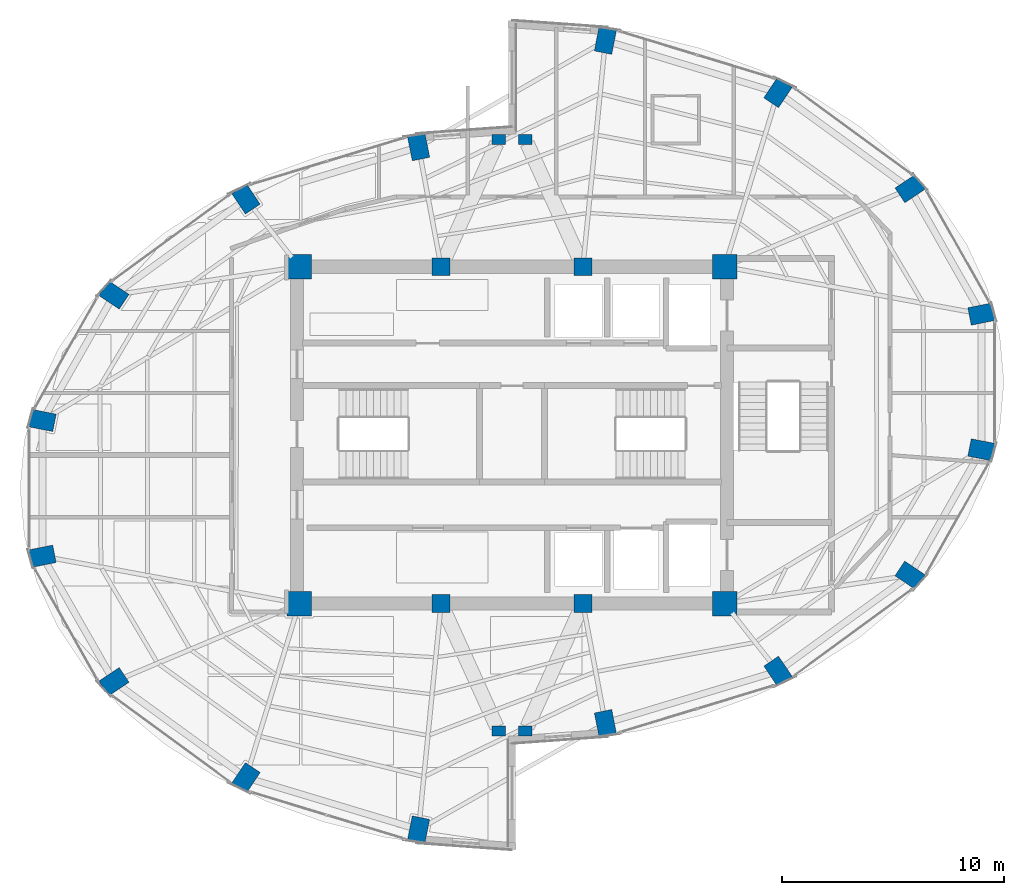
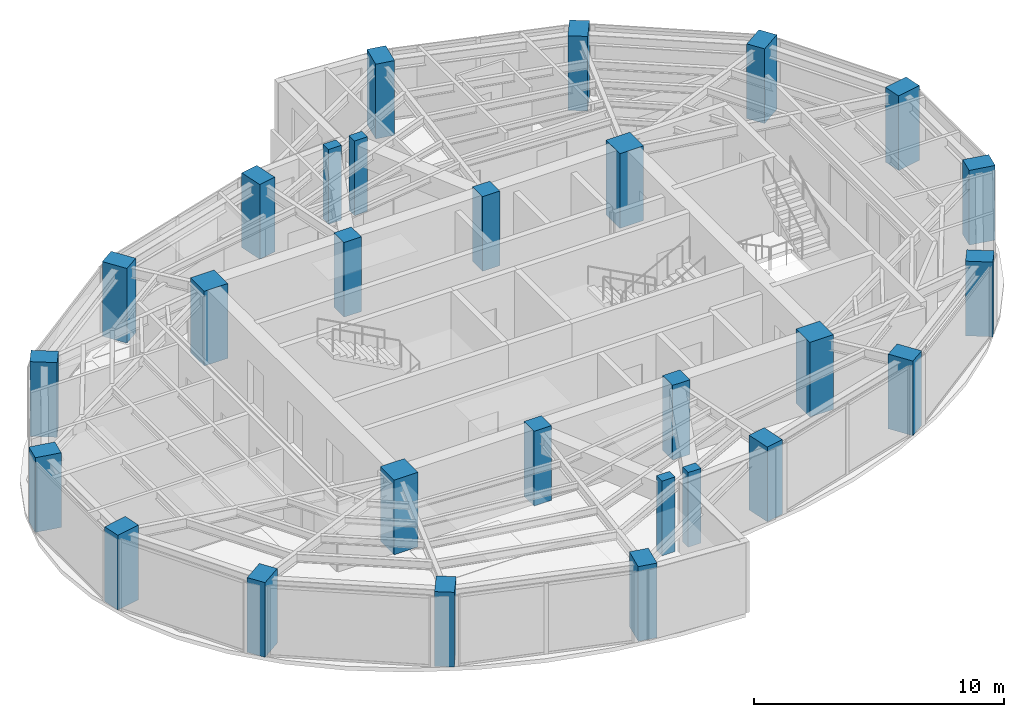
# One storey, part 1 of 23: 28 columns.
"""IFC4 building model written with IfcOpenShell, lengths in metres."""

from ifc_helpers import new_model, si_unit, direction, frame, origin, origin_2d, place, context, subcontext, project, spatial, rectangle, extrude, material, material_profile, profile_set, type_object, element, save


model = new_model("IFC4")

# Units and contexts
model_context = context("Model", 3, precision=1e-05, world=origin(), true_north=direction((0.0, 1.0)))
body_context = subcontext(model_context, "Body", "Model", "MODEL_VIEW")
ifc_project = project(units=[si_unit("LENGTHUNIT", "METRE"), si_unit("AREAUNIT", "SQUARE_METRE"), si_unit("VOLUMEUNIT", "CUBIC_METRE"), si_unit("PLANEANGLEUNIT", "RADIAN"), si_unit("MASSUNIT", "GRAM", prefix="KILO")], contexts=[model_context])

# Site, building, storey
site_placement = place(None, origin())
site = spatial("IfcSite", under=ifc_project, at=site_placement, CompositionType="ELEMENT")
building_placement = place(site_placement, origin())
building = spatial("IfcBuilding", under=site, at=building_placement, Name="Lazwardi Medical Tower", CompositionType="ELEMENT")
storey_placement = place(building_placement, frame((0.0, 0.0, 198.47998046875)))
storey = spatial("IfcBuildingStorey", under=building, at=storey_placement, Name="L51", CompositionType="ELEMENT", Elevation=198.47998046875)

# Columns
ifc_material_1 = material(Name="Concrete C80/95", Category="concrete")
ifc_material_profile_1 = material_profile(ifc_material_1, rectangle(XDim=1.10009765625, YDim=1.10009765625, at=origin_2d()), Name="RC 1100x1100")
ifc_profile_set_1 = profile_set([ifc_material_profile_1], Name="Concrete C80/95")
column_type_1 = type_object("IfcColumnType", Name="COL-CC-L", PredefinedType="COLUMN", material=ifc_profile_set_1)
for number, where, z_axis, x_axis, name in (
    (1, (26.39990234375, 20.39990234375, 0.0), (0.0, 0.0, 1.0), (1.0, 0.0, 0.0), "Core column CC-01 CC1 L51"),
    (2, (45.60009765625, 20.39990234375, 0.0), (0.0, 0.0, 1.0), (1.0, 0.0, 0.0), "Core column CC-01 CC4 L51"),
    (3, (45.60009765625, 35.60009765625, 0.0), (0.0, 0.0, 1.0), (1.0, 0.0, 0.0), "Core column CC-01 CC5 L51"),
    (4, (26.39990234375, 35.60009765625, 0.0), (0.0, 0.0, 1.0), (1.0, 0.0, 0.0), "Core column CC-01 CC8 L51"),
):
    element("IfcColumn", number, at=place(storey_placement, frame(where, z_axis=z_axis, x_axis=x_axis)), inside=storey, type_object=column_type_1, Name=name, PredefinedType="COLUMN", context=body_context, shape_type="SweptSolid", body=[
        extrude(rectangle(XDim=1.10009765625, YDim=1.10009765625, at=origin_2d()), origin(), (0.0, 0.0, 1.0), 3.64794921875),
    ])
ifc_material_2 = material(Name="Concrete C60/75", Category="concrete")
ifc_material_profile_2 = material_profile(ifc_material_2, rectangle(XDim=0.800048828125, YDim=0.800048828125, at=origin_2d()), Name="RC 800x800")
ifc_profile_set_2 = profile_set([ifc_material_profile_2], Name="Concrete C60/75")
column_type_2 = type_object("IfcColumnType", Name="COL-CC-U", PredefinedType="COLUMN", material=ifc_profile_set_2)
for number, where, z_axis, x_axis, name in (
    (5, (32.800048828125, 20.39990234375, 0.0), (0.0, 0.0, 1.0), (1.0, 0.0, 0.0), "Core column CC-03 CC2 L51"),
    (6, (39.199951171875, 20.39990234375, 0.0), (0.0, 0.0, 1.0), (1.0, 0.0, 0.0), "Core column CC-03 CC3 L51"),
    (7, (39.199951171875, 35.60009765625, 0.0), (0.0, 0.0, 1.0), (1.0, 0.0, 0.0), "Core column CC-03 CC6 L51"),
    (8, (32.800048828125, 35.60009765625, 0.0), (0.0, 0.0, 1.0), (1.0, 0.0, 0.0), "Core column CC-03 CC7 L51"),
):
    element("IfcColumn", number, at=place(storey_placement, frame(where, z_axis=z_axis, x_axis=x_axis)), inside=storey, type_object=column_type_2, Name=name, PredefinedType="COLUMN", context=body_context, shape_type="SweptSolid", body=[
        extrude(rectangle(XDim=0.800048828125, YDim=0.800048828125, at=origin_2d()), origin(), (0.0, 0.0, 1.0), 3.64794921875),
    ])
ifc_material_profile_3 = material_profile(ifc_material_2, rectangle(XDim=1.10009765625, YDim=0.800048828125, at=origin_2d()), Name="CFT-RECT 1100x800")
ifc_profile_set_3 = profile_set([ifc_material_profile_3], Name="Concrete C60/75")
column_type_3 = type_object("IfcColumnType", Name="COL-MC-Z4", PredefinedType="COLUMN", material=ifc_profile_set_3)
for number, where, z_axis, x_axis, name in (
    (9, (40.214111328125, 15.001708984375, 0.0), (0.0, 0.0, 1.0), (0.195090322016, -0.980785280403, 0.0), "Mega column MC-06 M01 L51"),
    (10, (48.000244140625, 17.345947265625, 0.0), (0.0, 0.0, 1.0), (0.55557023302, -0.831469612303, 0.0), "Mega column MC-06 M02 L51"),
    (11, (53.959716796875, 21.677490234375, 0.0), (0.0, 0.0, 1.0), (0.831469612303, -0.55557023302, 0.0), "Mega column MC-06 M03 L51"),
    (12, (57.18505859375, 27.337158203125, 0.0), (0.0, 0.0, 1.0), (0.980785280403, -0.195090322016, 0.0), "Mega column MC-06 M04 L51"),
    (13, (57.18505859375, 33.462890625, 0.0), (0.0, 0.0, 1.0), (0.980785280403, 0.195090322016, 0.0), "Mega column MC-06 M05 L51"),
    (14, (53.959716796875, 39.12255859375, 0.0), (0.0, 0.0, 1.0), (0.831469612303, 0.55557023302, 0.0), "Mega column MC-06 M06 L51"),
    (15, (48.000244140625, 43.4541015625, 0.0), (0.0, 0.0, 1.0), (0.55557023302, 0.831469612303, 0.0), "Mega column MC-06 M07 L51"),
    (16, (40.214111328125, 45.79833984375, 0.0), (0.0, 0.0, 1.0), (0.195090322016, 0.980785280403, 0.0), "Mega column MC-06 M08 L51"),
    (17, (31.785888671875, 40.998291015625, 0.0), (0.0, 0.0, 1.0), (-0.195090322016, 0.980785280403, 0.0), "Mega column MC-06 M09 L51"),
    (18, (23.999755859375, 38.654052734375, 0.0), (0.0, 0.0, 1.0), (-0.55557023302, 0.831469612303, 0.0), "Mega column MC-06 M10 L51"),
    (19, (18.040283203125, 34.322509765625, 0.0), (0.0, 0.0, 1.0), (-0.831469612303, 0.55557023302, 0.0), "Mega column MC-06 M11 L51"),
    (20, (14.81494140625, 28.662841796875, 0.0), (0.0, 0.0, 1.0), (-0.980785280403, 0.195090322016, 0.0), "Mega column MC-06 M12 L51"),
    (21, (14.81494140625, 22.537109375, 0.0), (0.0, 0.0, 1.0), (-0.980785280403, -0.195090322016, 0.0), "Mega column MC-06 M13 L51"),
    (22, (18.040283203125, 16.87744140625, 0.0), (0.0, 0.0, 1.0), (-0.831469612303, -0.55557023302, 0.0), "Mega column MC-06 M14 L51"),
    (23, (23.999755859375, 12.5458984375, 0.0), (0.0, 0.0, 1.0), (-0.55557023302, -0.831469612303, 0.0), "Mega column MC-06 M15 L51"),
    (24, (31.785888671875, 10.20166015625, 0.0), (0.0, 0.0, 1.0), (-0.195090322016, -0.980785280403, 0.0), "Mega column MC-06 M16 L51"),
):
    element("IfcColumn", number, at=place(storey_placement, frame(where, z_axis=z_axis, x_axis=x_axis)), inside=storey, type_object=column_type_3, Name=name, PredefinedType="COLUMN", context=body_context, shape_type="SweptSolid", body=[
        extrude(rectangle(XDim=1.10009765625, YDim=0.800048828125, at=origin_2d()), origin(), (0.0, 0.0, 1.0), 3.64794921875),
    ])
ifc_material_profile_4 = material_profile(ifc_material_2, rectangle(XDim=0.60009765625, YDim=0.449951171875, at=origin_2d()), Name="RC 600x450")
ifc_profile_set_4 = profile_set([ifc_material_profile_4], Name="Concrete C60/75")
column_type_4 = type_object("IfcColumnType", Name="COL-PL-IW", PredefinedType="PILASTER", material=ifc_profile_set_4)
for number, where, z_axis, x_axis, name in (
    (25, (35.39990234375, 41.35009765625, 0.0), (0.0, 0.0, 1.0), (1.0, 0.0, 0.0), "Iwan pilaster column PL-C1 PL1 L51"),
    (26, (36.60009765625, 41.35009765625, 0.0), (0.0, 0.0, 1.0), (1.0, 0.0, 0.0), "Iwan pilaster column PL-C1 PL2 L51"),
    (27, (35.39990234375, 14.64990234375, 0.0), (0.0, 0.0, 1.0), (1.0, 0.0, 0.0), "Iwan pilaster column PL-C1 PL3 L51"),
    (28, (36.60009765625, 14.64990234375, 0.0), (0.0, 0.0, 1.0), (1.0, 0.0, 0.0), "Iwan pilaster column PL-C1 PL4 L51"),
):
    element("IfcColumn", number, at=place(storey_placement, frame(where, z_axis=z_axis, x_axis=x_axis)), inside=storey, type_object=column_type_4, Name=name, PredefinedType="PILASTER", context=body_context, shape_type="SweptSolid", body=[
        extrude(rectangle(XDim=0.60009765625, YDim=0.449951171875, at=origin_2d()), origin(), (0.0, 0.0, 1.0), 3.64794921875),
    ])

save(model, "model.ifc")
